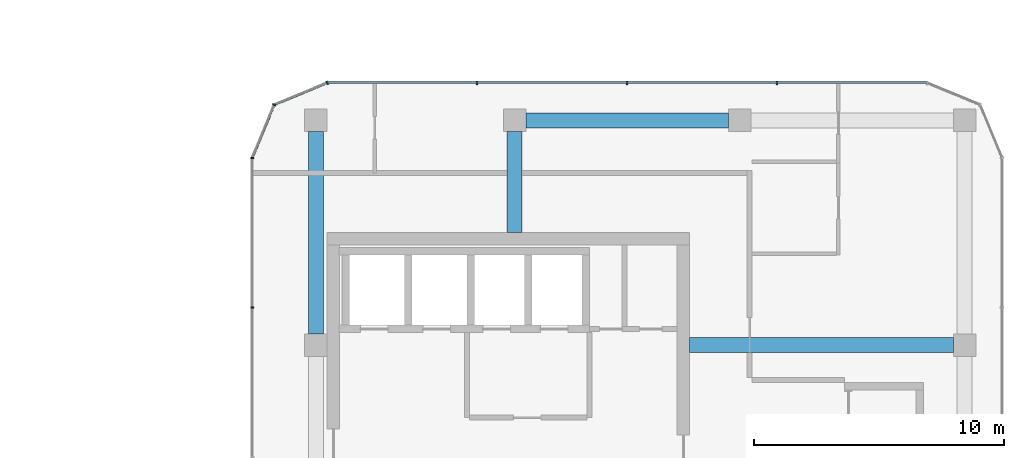
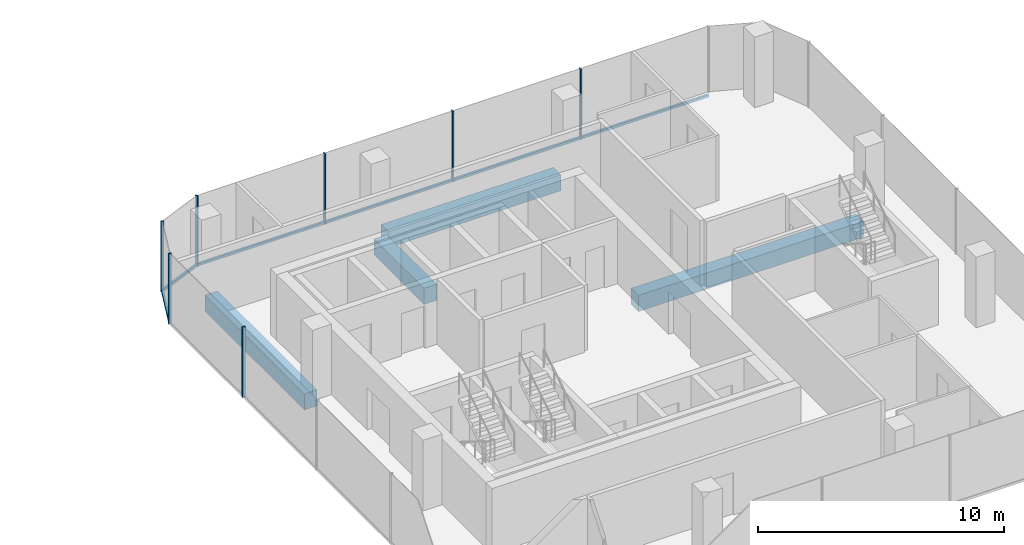
# One storey, part 9 of 23: 10 members, 4 beams, 4 elements without a shape of their own.
"""IFC4 building model written with IfcOpenShell, lengths in metres."""

import ifcopenshell
import ifcopenshell.guid

model = None  # the IFC model being written
_history = None  # IfcOwnerHistory: only IFC2X3 demands one
_inside = {}  # id of a spatial element -> (the spatial element, [elements in it])
_under = {}  # id of a project, library or spatial element -> (it, [spatial elements below it])
_declared = {}  # id of a project -> (the project, [libraries it declares])
_typed = {}  # id of a type object -> (the type object, [elements of that type])
_made_of = {}  # id of a material, layer set ... -> (it, [elements and type objects made of it])


def new_model(schema):
    """Start an empty IFC model of exactly this schema.

    Asked for "IFC4X3", IfcOpenShell would pick the latest addendum, in which some entities
    have other attributes; the version numbers below select the first issue.
    IFC2X3 requires an IfcOwnerHistory on every rooted entity: one is made here for all.
    """
    global model, _history
    if schema == "IFC4X3":
        model = ifcopenshell.file(schema_version=(4, 3, 0, 0))
    else:
        model = ifcopenshell.file(schema=schema)
    _inside.clear()
    _under.clear()
    _declared.clear()
    _typed.clear()
    _made_of.clear()
    _history = None
    if model.schema == "IFC2X3":
        org = make("IfcOrganization", Name="unknown")
        user = make(
            "IfcPersonAndOrganization",
            ThePerson=make("IfcPerson", FamilyName="unknown"),
            TheOrganization=org,
        )
        app = make(
            "IfcApplication",
            ApplicationDeveloper=org,
            Version="unknown",
            ApplicationFullName="unknown",
            ApplicationIdentifier="unknown",
        )
        _history = make(
            "IfcOwnerHistory",
            OwningUser=user,
            OwningApplication=app,
            ChangeAction="ADDED",
            CreationDate=0,
        )
    return model


def make(cls, **values):
    """One entity of the class cls with the attributes given. An attribute that is None is left unset."""
    return model.create_entity(
        cls, **{name: value for name, value in values.items() if value is not None}
    )


def rooted(cls, **values):
    """An entity with a GlobalId (a new one), such as an element, a storey or a relation."""
    return make(cls, GlobalId=ifcopenshell.guid.new(), OwnerHistory=_history, **values)


def si_unit(unit_type, name, prefix=None):
    """IfcSIUnit, for example si_unit("LENGTHUNIT", "METRE", prefix="MILLI")."""
    return make("IfcSIUnit", UnitType=unit_type, Prefix=prefix, Name=name)


def assignment(units):
    """IfcUnitAssignment: the units of a project."""
    return None if units is None else make("IfcUnitAssignment", Units=units)


def point(xyz):
    """IfcCartesianPoint."""
    return None if xyz is None else make("IfcCartesianPoint", Coordinates=xyz)


def direction(xyz):
    """IfcDirection."""
    return None if xyz is None else make("IfcDirection", DirectionRatios=xyz)


def frame(location, z_axis=None, x_axis=None):
    """IfcAxis2Placement3D, a coordinate frame: its origin and axes. An axis left out is left unset."""
    return make(
        "IfcAxis2Placement3D",
        Location=point(location),
        Axis=direction(z_axis),
        RefDirection=direction(x_axis),
    )


def frame_2d(location, x_axis=None):
    """IfcAxis2Placement2D, a coordinate frame in the plane: its origin and x axis."""
    return make(
        "IfcAxis2Placement2D", Location=point(location), RefDirection=direction(x_axis)
    )


def origin():
    """The frame at (0, 0, 0) with its axes left unset."""
    return frame((0.0, 0.0, 0.0))


def origin_2d():
    """The frame at (0, 0) in the plane with its x axis left unset."""
    return frame_2d((0.0, 0.0))


def place(relative_to, where):
    """IfcLocalPlacement: puts the frame where relative to a parent placement (None: the world)."""
    return make(
        "IfcLocalPlacement", PlacementRelTo=relative_to, RelativePlacement=where
    )


def context(
    kind, dimensions, precision=None, world=None, true_north=None, identifier=None
):
    """IfcGeometricRepresentationContext, for example the 3D "Model" context."""
    return make(
        "IfcGeometricRepresentationContext",
        ContextIdentifier=identifier,
        ContextType=kind,
        CoordinateSpaceDimension=dimensions,
        Precision=precision,
        WorldCoordinateSystem=world,
        TrueNorth=true_north,
    )


def subcontext(parent, identifier, kind, view, scale=None):
    """IfcGeometricRepresentationSubContext, for example "Body" below "Model"."""
    return make(
        "IfcGeometricRepresentationSubContext",
        ContextIdentifier=identifier,
        ContextType=kind,
        ParentContext=parent,
        TargetScale=scale,
        TargetView=view,
    )


def project(units=None, contexts=None):
    """IfcProject with its units and contexts."""
    return rooted(
        "IfcProject",
        Name="project",
        RepresentationContexts=contexts,
        UnitsInContext=assignment(units),
    )


def spatial(cls, under=None, at=None, **own):
    """A site, building, storey or space (cls), placed at a placement, below another one or the project."""
    s = rooted(cls, ObjectPlacement=at, **own)
    if under is not None:
        _under.setdefault(under.id(), (under, []))[1].append(s)
    return s


def profile(cls, at=None, kind="AREA", **sizes):
    """A parametric profile (cls). Its sizes go by their IFC names, for example OverallWidth=200.0."""
    return make(cls, ProfileType=kind, Position=at, **sizes)


def rectangle(**sizes):
    """IfcRectangleProfileDef."""
    return profile("IfcRectangleProfileDef", **sizes)


def extrude(swept, where, along, depth):
    """IfcExtrudedAreaSolid: the profile swept, set in the frame where, extruded along a direction by depth."""
    return make(
        "IfcExtrudedAreaSolid",
        SweptArea=swept,
        Position=where,
        ExtrudedDirection=direction(along),
        Depth=depth,
    )


def shape(context_of_items, identifier, shape_type, items):
    """IfcShapeRepresentation: the items that make up one representation, for example the "Body"."""
    return make(
        "IfcShapeRepresentation",
        ContextOfItems=context_of_items,
        RepresentationIdentifier=identifier,
        RepresentationType=shape_type,
        Items=items,
    )


def material(Name=None, Category=None):
    """IfcMaterial."""
    return make("IfcMaterial", Name=Name, Category=Category)


def layer(
    of_material, thickness, ventilated=None, Name=None, Category=None, Priority=None
):
    """IfcMaterialLayer: one layer of a wall or slab, of a material (None: an air gap)."""
    return make(
        "IfcMaterialLayer",
        Material=of_material,
        LayerThickness=thickness,
        IsVentilated=ventilated,
        Name=Name,
        Category=Category,
        Priority=Priority,
    )


def layer_set(layers, Name=None):
    """IfcMaterialLayerSet."""
    return make("IfcMaterialLayerSet", MaterialLayers=layers, LayerSetName=Name)


def material_profile(
    of_material, cross_section, Name=None, Category=None, Priority=None
):
    """IfcMaterialProfile: a cross section and its material."""
    return make(
        "IfcMaterialProfile",
        Name=Name,
        Material=of_material,
        Profile=cross_section,
        Priority=Priority,
        Category=Category,
    )


def profile_set(profiles, Name=None, composite=None):
    """IfcMaterialProfileSet."""
    return make(
        "IfcMaterialProfileSet",
        Name=Name,
        MaterialProfiles=profiles,
        CompositeProfile=composite,
    )


def made_of(thing, what):
    """Note that an element or type object is made of a material, layer set ...; save() writes the relation."""
    if what is not None:
        _made_of.setdefault(what.id(), (what, []))[1].append(thing)
    return thing


def type_object(cls, material=None, **own):
    """A type object (cls), such as IfcWallType, which elements share."""
    return made_of(rooted(cls, **own), material)


def element(
    cls,
    number,
    at=None,
    inside=None,
    cuts=None,
    type_object=None,
    material=None,
    context=None,
    identifier="Body",
    shape_type=None,
    held_by="IfcProductDefinitionShape",
    body=None,
    shapes=None,
    **own,
):
    """One element of the class cls, such as IfcWall. Its Tag is "e" and its number.

    at: its placement. inside: the storey or other place that contains it. cuts: it is an
    opening in that element (IfcRelVoidsElement). A single representation is given by context,
    identifier, shape_type and body (its items); several are given by shapes. held_by: the class
    of the entity that holds the representations. save() writes the other relations.
    """
    e = rooted(cls, Tag="e%d" % number, ObjectPlacement=at, **own)
    if body is not None:
        shapes = [shape(context, identifier, shape_type, body)]
    if shapes is not None:
        e.Representation = make(held_by, Representations=shapes)
    if inside is not None:
        _inside.setdefault(inside.id(), (inside, []))[1].append(e)
    if cuts is not None:
        rooted(
            "IfcRelVoidsElement", RelatingBuildingElement=cuts, RelatedOpeningElement=e
        )
    if type_object is not None:
        _typed.setdefault(type_object.id(), (type_object, []))[1].append(e)
    return made_of(e, material)


def aggregate(whole, parts):
    """IfcRelAggregates: a whole, such as a stair, and the parts it consists of."""
    return rooted("IfcRelAggregates", RelatingObject=whole, RelatedObjects=parts)


def save(model, path):
    """Write the relations noted so far, then the file.

    IfcRelAggregates (storeys below a building ...), IfcRelContainedInSpatialStructure (elements
    in a storey), IfcRelDefinesByType, IfcRelAssociatesMaterial and IfcRelDeclares: one each for
    every whole, place, type object, material and project.
    """
    for whole, parts in _under.values():
        aggregate(whole, parts)
    for where, things in _inside.values():
        rooted(
            "IfcRelContainedInSpatialStructure",
            RelatedElements=things,
            RelatingStructure=where,
        )
    for kind, things in _typed.values():
        rooted("IfcRelDefinesByType", RelatedObjects=things, RelatingType=kind)
    for what, things in _made_of.values():
        rooted("IfcRelAssociatesMaterial", RelatedObjects=things, RelatingMaterial=what)
    for by, libraries in _declared.values():
        rooted("IfcRelDeclares", RelatingContext=by, RelatedDefinitions=libraries)
    model.write(path)


model = new_model("IFC4")

# Units and contexts
model_context = context("Model", 3, precision=1e-05, world=origin(), true_north=direction((0.0, 1.0)))
body_context = subcontext(model_context, "Body", "Model", "MODEL_VIEW")
ifc_project = project(units=[si_unit("LENGTHUNIT", "METRE"), si_unit("AREAUNIT", "SQUARE_METRE"), si_unit("VOLUMEUNIT", "CUBIC_METRE"), si_unit("PLANEANGLEUNIT", "RADIAN"), si_unit("MASSUNIT", "GRAM", prefix="KILO")], contexts=[model_context])

# Site, building, storey
site_placement = place(None, origin())
site = spatial("IfcSite", under=ifc_project, at=site_placement, CompositionType="ELEMENT")
building_placement = place(site_placement, origin())
building = spatial("IfcBuilding", under=site, at=building_placement, Name="Plateau Cross Towers", CompositionType="ELEMENT")
storey_placement = place(building_placement, frame((0.0, 0.0, 40.800048828125)))
storey = spatial("IfcBuildingStorey", under=building, at=storey_placement, Name="L09", CompositionType="ELEMENT", Elevation=40.800048828125)

# Beams
ifc_material_1 = material(Name="Concrete C60/75", Category="concrete")
ifc_material_profile_1 = material_profile(ifc_material_1, rectangle(XDim=0.60009765625, YDim=0.800048828125, at=origin_2d()), Name="RC 600x800")
ifc_profile_set_1 = profile_set([ifc_material_profile_1], Name="Concrete C60/75")
beam_type_1 = type_object("IfcBeamType", Name="Core beam RC 600x800", PredefinedType="BEAM", material=ifc_profile_set_1)
beam_1_placement = place(storey_placement, frame((89.5, 13.5, -0.650146484375), z_axis=(1.0, 0.0, 0.0), x_axis=(0.0, 1.0, 0.0)))
element("IfcBeam", 1, at=beam_1_placement, inside=storey, type_object=beam_type_1, Name="B-CB03@L09", PredefinedType="BEAM", context=body_context, shape_type="SweptSolid", body=[
    extrude(rectangle(XDim=0.60009765625, YDim=0.800048828125, at=origin_2d()), origin(), (0.0, 0.0, 1.0), 10.550048828125),
])
beam_2_placement = place(storey_placement, frame((82.5, 18.0, -0.650146484375), z_axis=(0.0, 1.0, 0.0), x_axis=(-1.0, 0.0, 0.0)))
element("IfcBeam", 2, at=beam_2_placement, inside=storey, type_object=beam_type_1, Name="B-CB04@L09", PredefinedType="BEAM", context=body_context, shape_type="SweptSolid", body=[
    extrude(rectangle(XDim=0.60009765625, YDim=0.800048828125, at=origin_2d()), origin(), (0.0, 0.0, 1.0), 4.050048828125),
])

# Curtain wall, members
ifc_material_2 = material(Name="Dark low-iron glass", Category="glass")
ifc_layer = layer(ifc_material_2, 0.239990234375)
ifc_layer_set = layer_set([ifc_layer], Name="Dark low-iron glass")
curtain_wall_type = type_object("IfcCurtainWallType", Name="Curtain wall office unitised CW-F", PredefinedType="NOTDEFINED", material=ifc_layer_set)
curtain_wall_1_placement = place(storey_placement, origin())
curtain_wall_1 = element("IfcCurtainWall", 3, at=curtain_wall_1_placement, inside=storey, type_object=curtain_wall_type, Name="ENV/B/L09/B990_240", PredefinedType="NOTDEFINED")
ifc_material_3 = material(Name="Black anodised aluminium", Category="aluminium")
ifc_material_profile_2 = material_profile(ifc_material_3, rectangle(XDim=0.06005859375, YDim=0.139892578125, at=origin_2d()), Name="MULLION 60x140")
ifc_profile_set_2 = profile_set([ifc_material_profile_2], Name="Black anodised aluminium")
member_type_1 = type_object("IfcMemberType", Name="Mullion 60x140 office unitised", PredefinedType="MULLION", material=ifc_profile_set_2)
member_1_placement = place(storey_placement, frame((93.0, 24.0, -0.25), z_axis=(0.0, 0.0, 1.0), x_axis=(-1.0, 0.0, 0.0)))
member_1 = element("IfcMember", 4, at=member_1_placement, type_object=member_type_1, Name="CW-F mullion 2", PredefinedType="MULLION", context=body_context, shape_type="SweptSolid", body=[
    extrude(rectangle(XDim=0.06005859375, YDim=0.139892578125, at=origin_2d()), origin(), (0.0, 0.0, 1.0), 3.5),
])
member_2_placement = place(storey_placement, frame((87.0, 24.0, -0.25), z_axis=(0.0, 0.0, 1.0), x_axis=(-1.0, 0.0, 0.0)))
member_2 = element("IfcMember", 5, at=member_2_placement, type_object=member_type_1, Name="CW-F mullion 3", PredefinedType="MULLION", context=body_context, shape_type="SweptSolid", body=[
    extrude(rectangle(XDim=0.06005859375, YDim=0.139892578125, at=origin_2d()), origin(), (0.0, 0.0, 1.0), 3.5),
])
member_3_placement = place(storey_placement, frame((81.0, 24.0, -0.25), z_axis=(0.0, 0.0, 1.0), x_axis=(-1.0, 0.0, 0.0)))
member_3 = element("IfcMember", 6, at=member_3_placement, type_object=member_type_1, Name="CW-F mullion 4", PredefinedType="MULLION", context=body_context, shape_type="SweptSolid", body=[
    extrude(rectangle(XDim=0.06005859375, YDim=0.139892578125, at=origin_2d()), origin(), (0.0, 0.0, 1.0), 3.5),
])

# Curtain wall, member
curtain_wall_2_placement = place(storey_placement, origin())
curtain_wall_2 = element("IfcCurtainWall", 7, at=curtain_wall_2_placement, inside=storey, type_object=curtain_wall_type, Name="ENV/B/L09/B750_240", PredefinedType="NOTDEFINED")
member_4_placement = place(storey_placement, frame((75.0, 24.0, -0.25), z_axis=(0.0, 0.0, 1.0), x_axis=(-0.923879457699, -0.382683612978, 0.0)))
member_4 = element("IfcMember", 8, at=member_4_placement, type_object=member_type_1, Name="CW-F mullion 1", PredefinedType="MULLION", context=body_context, shape_type="SweptSolid", body=[
    extrude(rectangle(XDim=0.06005859375, YDim=0.139892578125, at=origin_2d()), origin(), (0.0, 0.0, 1.0), 3.5),
])

curtain_wall_3_placement = place(storey_placement, origin())
curtain_wall_3 = element("IfcCurtainWall", 9, at=curtain_wall_3_placement, inside=storey, type_object=curtain_wall_type, Name="ENV/B/L09/B729_231", PredefinedType="NOTDEFINED")
member_5_placement = place(storey_placement, frame((72.878662109375, 23.121337890625, -0.25), z_axis=(0.0, 0.0, 1.0), x_axis=(-0.382683612978, -0.923879457699, 0.0)))
member_5 = element("IfcMember", 10, at=member_5_placement, type_object=member_type_1, Name="CW-F mullion 1", PredefinedType="MULLION", context=body_context, shape_type="SweptSolid", body=[
    extrude(rectangle(XDim=0.06005859375, YDim=0.139892578125, at=origin_2d()), origin(), (0.0, 0.0, 1.0), 3.5),
])

# Curtain wall, members
curtain_wall_4_placement = place(storey_placement, origin())
curtain_wall_4 = element("IfcCurtainWall", 11, at=curtain_wall_4_placement, inside=storey, type_object=curtain_wall_type, Name="ENV/B/L09/B720_210", PredefinedType="NOTDEFINED")
member_6_placement = place(storey_placement, frame((72.0, 21.0, -0.25), z_axis=(0.0, 0.0, 1.0), x_axis=(0.0, -1.0, 0.0)))
member_6 = element("IfcMember", 12, at=member_6_placement, type_object=member_type_1, Name="CW-F mullion 1", PredefinedType="MULLION", context=body_context, shape_type="SweptSolid", body=[
    extrude(rectangle(XDim=0.06005859375, YDim=0.139892578125, at=origin_2d()), origin(), (0.0, 0.0, 1.0), 3.5),
])
member_7_placement = place(storey_placement, frame((72.0, 15.0, -0.25), z_axis=(0.0, 0.0, 1.0), x_axis=(0.0, -1.0, 0.0)))
member_7 = element("IfcMember", 13, at=member_7_placement, type_object=member_type_1, Name="CW-F mullion 2", PredefinedType="MULLION", context=body_context, shape_type="SweptSolid", body=[
    extrude(rectangle(XDim=0.06005859375, YDim=0.139892578125, at=origin_2d()), origin(), (0.0, 0.0, 1.0), 3.5),
])
aggregate(curtain_wall_4, [member_6, member_7])

# Beams
ifc_material_profile_3 = material_profile(ifc_material_1, rectangle(XDim=0.60009765625, YDim=0.800048828125, at=origin_2d()), Name="RC 600x800")
ifc_profile_set_3 = profile_set([ifc_material_profile_3], Name="Concrete C60/75")
beam_type_2 = type_object("IfcBeamType", Name="Ring beam RC 600x800", PredefinedType="BEAM", material=ifc_profile_set_3)
for number, where, z_axis, x_axis, name in (
    (14, (91.050048828125, 22.5, -0.650146484375), (-1.0, 0.0, 0.0), (0.0, -1.0, 0.0), "B-RB07@L09"),
    (15, (74.550048828125, 22.050048828125, -0.650146484375), (0.0, -1.0, 0.0), (1.0, 0.0, 0.0), "B-RB08@L09"),
):
    element("IfcBeam", number, at=place(storey_placement, frame(where, z_axis=z_axis, x_axis=x_axis)), inside=storey, type_object=beam_type_2, Name=name, PredefinedType="BEAM", context=body_context, shape_type="SweptSolid", body=[
        extrude(rectangle(XDim=0.60009765625, YDim=0.800048828125, at=origin_2d()), origin(), (0.0, 0.0, 1.0), 8.10009765625),
    ])

# Member
ifc_material_profile_4 = material_profile(ifc_material_3, rectangle(XDim=0.10009765625, YDim=0.1201171875, at=origin_2d()), Name="TRANSOM 100x120")
ifc_profile_set_4 = profile_set([ifc_material_profile_4], Name="Black anodised aluminium")
member_type_2 = type_object("IfcMemberType", Name="Transom 100x120 office unitised", PredefinedType="USERDEFINED", material=ifc_profile_set_4)
member_8_placement = place(storey_placement, frame((99.0, 24.0, -0.18994140625), z_axis=(-1.0, 0.0, 0.0), x_axis=(0.0, -1.0, 0.0)))
member_8 = element("IfcMember", 16, at=member_8_placement, type_object=member_type_2, Name="CW-F transom", ObjectType="TRANSOM", PredefinedType="USERDEFINED", context=body_context, shape_type="SweptSolid", body=[
    extrude(rectangle(XDim=0.10009765625, YDim=0.1201171875, at=origin_2d()), origin(), (0.0, 0.0, 1.0), 24.0),
])

aggregate(curtain_wall_1, [member_1, member_2, member_3, member_8])

member_9_placement = place(storey_placement, frame((75.0, 24.0, -0.18994140625), z_axis=(-0.923883353507, -0.382674207535, 0.0), x_axis=(0.382674207535, -0.923883353507, 0.0)))
member_9 = element("IfcMember", 17, at=member_9_placement, type_object=member_type_2, Name="CW-F transom", ObjectType="TRANSOM", PredefinedType="USERDEFINED", context=body_context, shape_type="SweptSolid", body=[
    extrude(rectangle(XDim=0.10009765625, YDim=0.1201171875, at=origin_2d()), origin(), (0.0, 0.0, 1.0), 2.296142578125),
])

aggregate(curtain_wall_2, [member_4, member_9])

member_10_placement = place(storey_placement, frame((72.878662109375, 23.121337890625, -0.18994140625), z_axis=(-0.382674207535, -0.923883353507, 0.0), x_axis=(0.923883353507, -0.382674207535, 0.0)))
member_10 = element("IfcMember", 18, at=member_10_placement, type_object=member_type_2, Name="CW-F transom", ObjectType="TRANSOM", PredefinedType="USERDEFINED", context=body_context, shape_type="SweptSolid", body=[
    extrude(rectangle(XDim=0.10009765625, YDim=0.1201171875, at=origin_2d()), origin(), (0.0, 0.0, 1.0), 2.296142578125),
])

aggregate(curtain_wall_3, [member_5, member_10])

save(model, "model.ifc")
